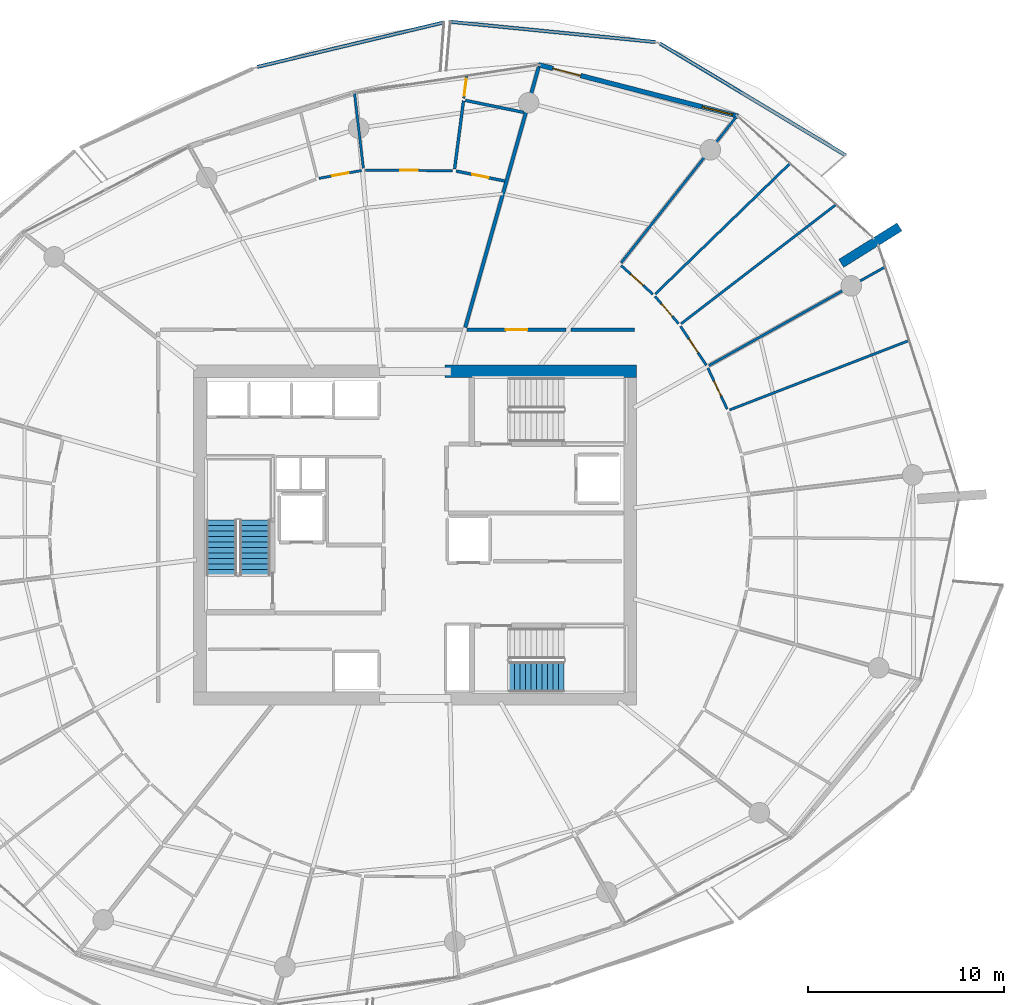
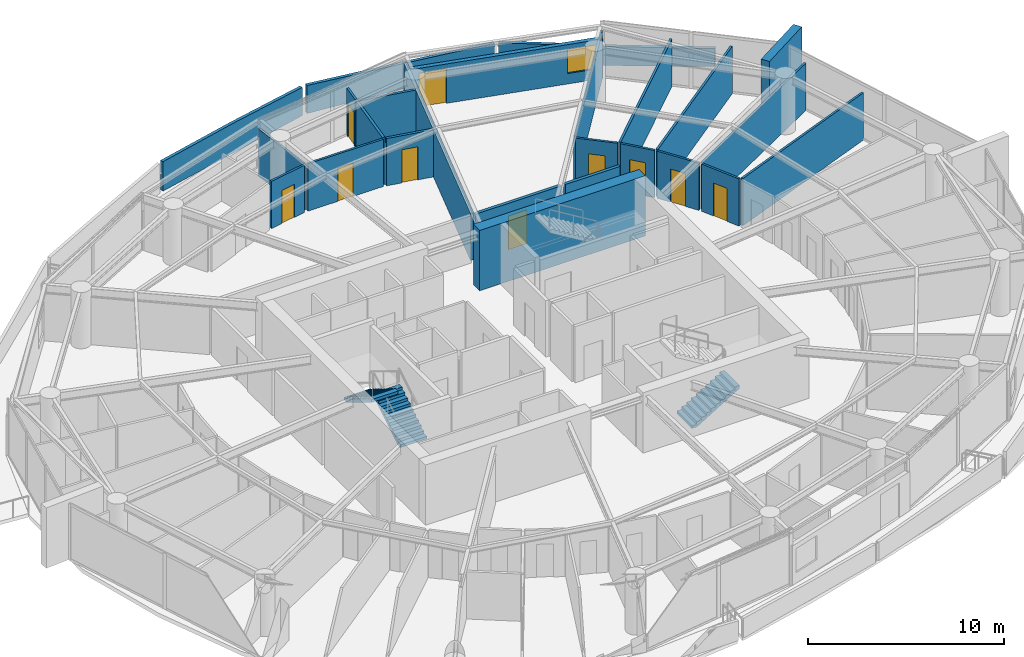
# One storey, part 15 of 21: 25 walls, 10 doors, 3 stair flights, 1 window, 11 openings, 2 elements without a shape of their own.
"""IFC4 building model written with IfcOpenShell, lengths in metres."""

import ifcopenshell
import ifcopenshell.guid

model = None  # the IFC model being written
_history = None  # IfcOwnerHistory: only IFC2X3 demands one
_inside = {}  # id of a spatial element -> (the spatial element, [elements in it])
_under = {}  # id of a project, library or spatial element -> (it, [spatial elements below it])
_declared = {}  # id of a project -> (the project, [libraries it declares])
_typed = {}  # id of a type object -> (the type object, [elements of that type])
_made_of = {}  # id of a material, layer set ... -> (it, [elements and type objects made of it])


def new_model(schema):
    """Start an empty IFC model of exactly this schema.

    Asked for "IFC4X3", IfcOpenShell would pick the latest addendum, in which some entities
    have other attributes; the version numbers below select the first issue.
    IFC2X3 requires an IfcOwnerHistory on every rooted entity: one is made here for all.
    """
    global model, _history
    if schema == "IFC4X3":
        model = ifcopenshell.file(schema_version=(4, 3, 0, 0))
    else:
        model = ifcopenshell.file(schema=schema)
    _inside.clear()
    _under.clear()
    _declared.clear()
    _typed.clear()
    _made_of.clear()
    _history = None
    if model.schema == "IFC2X3":
        org = make("IfcOrganization", Name="unknown")
        user = make(
            "IfcPersonAndOrganization",
            ThePerson=make("IfcPerson", FamilyName="unknown"),
            TheOrganization=org,
        )
        app = make(
            "IfcApplication",
            ApplicationDeveloper=org,
            Version="unknown",
            ApplicationFullName="unknown",
            ApplicationIdentifier="unknown",
        )
        _history = make(
            "IfcOwnerHistory",
            OwningUser=user,
            OwningApplication=app,
            ChangeAction="ADDED",
            CreationDate=0,
        )
    return model


def make(cls, **values):
    """One entity of the class cls with the attributes given. An attribute that is None is left unset."""
    return model.create_entity(
        cls, **{name: value for name, value in values.items() if value is not None}
    )


def rooted(cls, **values):
    """An entity with a GlobalId (a new one), such as an element, a storey or a relation."""
    return make(cls, GlobalId=ifcopenshell.guid.new(), OwnerHistory=_history, **values)


def si_unit(unit_type, name, prefix=None):
    """IfcSIUnit, for example si_unit("LENGTHUNIT", "METRE", prefix="MILLI")."""
    return make("IfcSIUnit", UnitType=unit_type, Prefix=prefix, Name=name)


def assignment(units):
    """IfcUnitAssignment: the units of a project."""
    return None if units is None else make("IfcUnitAssignment", Units=units)


def point(xyz):
    """IfcCartesianPoint."""
    return None if xyz is None else make("IfcCartesianPoint", Coordinates=xyz)


def direction(xyz):
    """IfcDirection."""
    return None if xyz is None else make("IfcDirection", DirectionRatios=xyz)


def frame(location, z_axis=None, x_axis=None):
    """IfcAxis2Placement3D, a coordinate frame: its origin and axes. An axis left out is left unset."""
    return make(
        "IfcAxis2Placement3D",
        Location=point(location),
        Axis=direction(z_axis),
        RefDirection=direction(x_axis),
    )


def frame_2d(location, x_axis=None):
    """IfcAxis2Placement2D, a coordinate frame in the plane: its origin and x axis."""
    return make(
        "IfcAxis2Placement2D", Location=point(location), RefDirection=direction(x_axis)
    )


def origin():
    """The frame at (0, 0, 0) with its axes left unset."""
    return frame((0.0, 0.0, 0.0))


def place(relative_to, where):
    """IfcLocalPlacement: puts the frame where relative to a parent placement (None: the world)."""
    return make(
        "IfcLocalPlacement", PlacementRelTo=relative_to, RelativePlacement=where
    )


def context(
    kind, dimensions, precision=None, world=None, true_north=None, identifier=None
):
    """IfcGeometricRepresentationContext, for example the 3D "Model" context."""
    return make(
        "IfcGeometricRepresentationContext",
        ContextIdentifier=identifier,
        ContextType=kind,
        CoordinateSpaceDimension=dimensions,
        Precision=precision,
        WorldCoordinateSystem=world,
        TrueNorth=true_north,
    )


def subcontext(parent, identifier, kind, view, scale=None):
    """IfcGeometricRepresentationSubContext, for example "Body" below "Model"."""
    return make(
        "IfcGeometricRepresentationSubContext",
        ContextIdentifier=identifier,
        ContextType=kind,
        ParentContext=parent,
        TargetScale=scale,
        TargetView=view,
    )


def project(units=None, contexts=None):
    """IfcProject with its units and contexts."""
    return rooted(
        "IfcProject",
        Name="project",
        RepresentationContexts=contexts,
        UnitsInContext=assignment(units),
    )


def spatial(cls, under=None, at=None, **own):
    """A site, building, storey or space (cls), placed at a placement, below another one or the project."""
    s = rooted(cls, ObjectPlacement=at, **own)
    if under is not None:
        _under.setdefault(under.id(), (under, []))[1].append(s)
    return s


def polyline(points):
    """IfcPolyline through the points."""
    return make("IfcPolyline", Points=[point(p) for p in points])


def profile(cls, at=None, kind="AREA", **sizes):
    """A parametric profile (cls). Its sizes go by their IFC names, for example OverallWidth=200.0."""
    return make(cls, ProfileType=kind, Position=at, **sizes)


def rectangle(**sizes):
    """IfcRectangleProfileDef."""
    return profile("IfcRectangleProfileDef", **sizes)


def outline(outer, holes=None, kind="AREA"):
    """IfcArbitraryClosedProfileDef: a profile drawn as a closed curve; with holes, ...WithVoids."""
    if holes is None:
        return make("IfcArbitraryClosedProfileDef", ProfileType=kind, OuterCurve=outer)
    return make(
        "IfcArbitraryProfileDefWithVoids",
        ProfileType=kind,
        OuterCurve=outer,
        InnerCurves=holes,
    )


def extrude(swept, where, along, depth):
    """IfcExtrudedAreaSolid: the profile swept, set in the frame where, extruded along a direction by depth."""
    return make(
        "IfcExtrudedAreaSolid",
        SweptArea=swept,
        Position=where,
        ExtrudedDirection=direction(along),
        Depth=depth,
    )


def shape(context_of_items, identifier, shape_type, items):
    """IfcShapeRepresentation: the items that make up one representation, for example the "Body"."""
    return make(
        "IfcShapeRepresentation",
        ContextOfItems=context_of_items,
        RepresentationIdentifier=identifier,
        RepresentationType=shape_type,
        Items=items,
    )


def material(Name=None, Category=None):
    """IfcMaterial."""
    return make("IfcMaterial", Name=Name, Category=Category)


def layer(
    of_material, thickness, ventilated=None, Name=None, Category=None, Priority=None
):
    """IfcMaterialLayer: one layer of a wall or slab, of a material (None: an air gap)."""
    return make(
        "IfcMaterialLayer",
        Material=of_material,
        LayerThickness=thickness,
        IsVentilated=ventilated,
        Name=Name,
        Category=Category,
        Priority=Priority,
    )


def layer_set(layers, Name=None):
    """IfcMaterialLayerSet."""
    return make("IfcMaterialLayerSet", MaterialLayers=layers, LayerSetName=Name)


def made_of(thing, what):
    """Note that an element or type object is made of a material, layer set ...; save() writes the relation."""
    if what is not None:
        _made_of.setdefault(what.id(), (what, []))[1].append(thing)
    return thing


def type_object(cls, material=None, **own):
    """A type object (cls), such as IfcWallType, which elements share."""
    return made_of(rooted(cls, **own), material)


def element(
    cls,
    number,
    at=None,
    inside=None,
    cuts=None,
    type_object=None,
    material=None,
    context=None,
    identifier="Body",
    shape_type=None,
    held_by="IfcProductDefinitionShape",
    body=None,
    shapes=None,
    **own,
):
    """One element of the class cls, such as IfcWall. Its Tag is "e" and its number.

    at: its placement. inside: the storey or other place that contains it. cuts: it is an
    opening in that element (IfcRelVoidsElement). A single representation is given by context,
    identifier, shape_type and body (its items); several are given by shapes. held_by: the class
    of the entity that holds the representations. save() writes the other relations.
    """
    e = rooted(cls, Tag="e%d" % number, ObjectPlacement=at, **own)
    if body is not None:
        shapes = [shape(context, identifier, shape_type, body)]
    if shapes is not None:
        e.Representation = make(held_by, Representations=shapes)
    if inside is not None:
        _inside.setdefault(inside.id(), (inside, []))[1].append(e)
    if cuts is not None:
        rooted(
            "IfcRelVoidsElement", RelatingBuildingElement=cuts, RelatedOpeningElement=e
        )
    if type_object is not None:
        _typed.setdefault(type_object.id(), (type_object, []))[1].append(e)
    return made_of(e, material)


def fill(opening, filler):
    """IfcRelFillsElement: the door or window that sits in an opening."""
    return rooted(
        "IfcRelFillsElement",
        RelatingOpeningElement=opening,
        RelatedBuildingElement=filler,
    )


def aggregate(whole, parts):
    """IfcRelAggregates: a whole, such as a stair, and the parts it consists of."""
    return rooted("IfcRelAggregates", RelatingObject=whole, RelatedObjects=parts)


def save(model, path):
    """Write the relations noted so far, then the file.

    IfcRelAggregates (storeys below a building ...), IfcRelContainedInSpatialStructure (elements
    in a storey), IfcRelDefinesByType, IfcRelAssociatesMaterial and IfcRelDeclares: one each for
    every whole, place, type object, material and project.
    """
    for whole, parts in _under.values():
        aggregate(whole, parts)
    for where, things in _inside.values():
        rooted(
            "IfcRelContainedInSpatialStructure",
            RelatedElements=things,
            RelatingStructure=where,
        )
    for kind, things in _typed.values():
        rooted("IfcRelDefinesByType", RelatedObjects=things, RelatingType=kind)
    for what, things in _made_of.values():
        rooted("IfcRelAssociatesMaterial", RelatedObjects=things, RelatingMaterial=what)
    for by, libraries in _declared.values():
        rooted("IfcRelDeclares", RelatingContext=by, RelatedDefinitions=libraries)
    model.write(path)


model = new_model("IFC4")

# Units and contexts
model_context = context("Model", 3, precision=1e-05, world=origin(), true_north=direction((0.0, 1.0)))
body_context = subcontext(model_context, "Body", "Model", "MODEL_VIEW")
ifc_project = project(units=[si_unit("LENGTHUNIT", "METRE"), si_unit("AREAUNIT", "SQUARE_METRE"), si_unit("VOLUMEUNIT", "CUBIC_METRE"), si_unit("PLANEANGLEUNIT", "RADIAN"), si_unit("MASSUNIT", "GRAM", prefix="KILO")], contexts=[model_context])

# Site, building, storey
site_placement = place(None, origin())
site = spatial("IfcSite", under=ifc_project, at=site_placement, CompositionType="ELEMENT")
building_placement = place(site_placement, origin())
building = spatial("IfcBuilding", under=site, at=building_placement, Name="Kazma Halo Residences", CompositionType="ELEMENT")
storey_placement = place(building_placement, frame((0.0, 0.0, 184.050048828125)))
storey = spatial("IfcBuildingStorey", under=building, at=storey_placement, Name="L46", CompositionType="ELEMENT", Elevation=184.050048828125)

# Walls
ifc_material_1 = material(Name="White Concrete C50/60 Balustrade", Category="concrete")
ifc_layer_1 = layer(ifc_material_1, 0.179931640625)
ifc_layer_set_1 = layer_set([ifc_layer_1], Name="White Concrete C50/60 Balustrade")
wall_type_1 = type_object("IfcWallType", Name="WL-BAL-WAVE-180", PredefinedType="PARAPET", material=ifc_layer_set_1)
wall_1_placement = place(storey_placement, frame((70.33984375, 61.317138671875, 0.0), z_axis=(0.0, 0.0, 1.0), x_axis=(-0.856758582714, 0.515717685314, 0.0)))
element("IfcWall", 1, at=wall_1_placement, inside=storey, type_object=wall_type_1, Name="L46 white wave balustrade wall NE.1", PredefinedType="PARAPET", context=body_context, shape_type="SweptSolid", body=[
    extrude(outline(polyline([(0.0, 0.0), (11.04296875, 0.0), (11.042724609375, 1.347900390625), (5.521484375, 1.181884765625), (0.0, 1.119873046875), (0.0, 0.0)])), frame((0.0, 0.08984375, 0.0), z_axis=(0.0, -1.0, 0.0), x_axis=(1.0, 0.0, 0.0)), (0.0, 0.0, 1.0), 0.179931640625),
])
wall_2_placement = place(storey_placement, frame((60.656494140625, 67.085693359375, 0.0), z_axis=(0.0, 0.0, 1.0), x_axis=(-0.995154913377, 0.098319369306, 0.0)))
element("IfcWall", 2, at=wall_2_placement, inside=storey, type_object=wall_type_1, Name="L46 white wave balustrade wall NE.2", PredefinedType="PARAPET", context=body_context, shape_type="SweptSolid", body=[
    extrude(outline(polyline([(0.0, 0.0), (10.4912109375, 0.0), (10.4912109375, 1.7470703125), (5.24560546875, 1.56201171875), (0.0, 1.347900390625), (0.0, 0.0)])), frame((0.0, 0.08984375, 0.0), z_axis=(0.0, -1.0, 0.0), x_axis=(1.0, 0.0, 0.0)), (0.0, 0.0, 1.0), 0.179931640625),
])
wall_3_placement = place(storey_placement, frame((49.892578125, 68.08447265625, 0.0), z_axis=(0.0, 0.0, 1.0), x_axis=(-0.972746941522, -0.231869333374, 0.0)))
element("IfcWall", 3, at=wall_3_placement, inside=storey, type_object=wall_type_1, Name="L46 white wave balustrade wall NNW.1", PredefinedType="PARAPET", context=body_context, shape_type="SweptSolid", body=[
    extrude(outline(polyline([(0.0, 0.0), (9.772216796875, 0.0), (9.772216796875, 1.83203125), (4.885986328125, 1.85302734375), (0.0, 1.755859375), (0.0, 0.0)])), frame((0.0, 0.08984375, 0.0), z_axis=(0.0, -1.0, 0.0), x_axis=(1.0, 0.0, 0.0)), (0.0, 0.0, 1.0), 0.179931640625),
])
ifc_material_2 = material(Name="Pale Concrete C60/75", Category="concrete")
ifc_layer_2 = layer(ifc_material_2, 0.47998046875)
ifc_layer_set_2 = layer_set([ifc_layer_2], Name="Pale Concrete C60/75")
wall_type_2 = type_object("IfcWallType", Name="WL-BLADE-480", PredefinedType="SOLIDWALL", material=ifc_layer_set_2)
wall_4_placement = place(storey_placement, frame((70.11376953125, 55.818115234375, 0.0), z_axis=(0.0, 0.0, 1.0), x_axis=(0.848033572426, 0.529942506352, 0.0)))
element("IfcWall", 4, at=wall_4_placement, inside=storey, type_object=wall_type_2, Name="L46 pale concrete structural blade fin wall BW-01", PredefinedType="SOLIDWALL", context=body_context, shape_type="SweptSolid", body=[
    extrude(rectangle(XDim=3.5, YDim=0.47998046875, at=frame_2d((1.75, 0.0))), origin(), (0.0, 0.0, 1.0), 3.75),
])
ifc_material_3 = material(Name="Concrete C60/75", Category="concrete")
ifc_layer_3 = layer(ifc_material_3, 0.64990234375)
ifc_layer_set_3 = layer_set([ifc_layer_3], Name="Concrete C60/75")
wall_type_3 = type_object("IfcWallType", Name="WL-CORE-650", PredefinedType="SHEAR", material=ifc_layer_set_3)
wall_5_placement = place(storey_placement, frame((49.949951171875, 50.324951171875, 0.0), z_axis=(0.0, 0.0, 1.0), x_axis=(1.0, 0.0, 0.0)))
element("IfcWall", 5, at=wall_5_placement, inside=storey, type_object=wall_type_3, Name="L46 central core shear wall NE", PredefinedType="SHEAR", context=body_context, shape_type="SweptSolid", body=[
    extrude(rectangle(XDim=9.75, YDim=0.64990234375, at=frame_2d((4.875, 0.0))), origin(), (0.0, 0.0, 1.0), 3.75),
])
ifc_material_4 = material(Name="Acoustic Twin-Stud Gypsum")
ifc_layer_4 = layer(ifc_material_4, 0.179931640625)
ifc_layer_set_4 = layer_set([ifc_layer_4], Name="Acoustic Twin-Stud Gypsum")
wall_type_4 = type_object("IfcWallType", Name="WL-DEM-180", PredefinedType="PARTITIONING", material=ifc_layer_set_4)
wall_6_placement = place(storey_placement, frame((50.97705078125, 52.555908203125, 0.0), z_axis=(0.0, 0.0, 1.0), x_axis=(0.271443307373, 0.962454430548, 0.0)))
element("IfcWall", 6, at=wall_6_placement, inside=storey, type_object=wall_type_4, Name="L46 apartment demising radial wall 02", PredefinedType="PARTITIONING", context=body_context, shape_type="SweptSolid", body=[
    extrude(rectangle(XDim=13.75927734375, YDim=0.179931640625, at=frame_2d((6.879638671875, 0.0))), origin(), (0.0, 0.0, 1.0), 2.93994140625),
])

# Wall, opening, door
wall_7_placement = place(storey_placement, frame((56.1181640625, 52.449951171875, 0.0), z_axis=(0.0, 0.0, 1.0), x_axis=(-1.0, 0.0, 0.0)))
wall_7 = element("IfcWall", 7, at=wall_7_placement, inside=storey, type_object=wall_type_4, Name="L46 Apartment 3 entrance corridor wall", PredefinedType="PARTITIONING", context=body_context, shape_type="SweptSolid", body=[
    extrude(rectangle(XDim=5.051025390625, YDim=0.179931640625, at=frame_2d((2.525390625, 0.0))), origin(), (0.0, 0.0, 1.0), 2.93994140625),
])
opening_1_placement = place(wall_7_placement, frame((1.975341796875, 0.0, 0.0)))
opening_1 = element("IfcOpeningElement", 8, at=opening_1_placement, cuts=wall_7, Name="Opening DA-1100", PredefinedType="OPENING", context=body_context, shape_type="SweptSolid", body=[
    extrude(rectangle(XDim=1.10009765625, YDim=2.10009765625, at=frame_2d((0.550048828125, 1.050048828125))), frame((0.0, 0.099853515625, 0.0), z_axis=(0.0, -1.0, 0.0), x_axis=(1.0, 0.0, 0.0)), (0.0, 0.0, 1.0), 0.199951171875),
])
ifc_material_5 = material(Name="Acoustic Walnut Fire Leaf")
door_type_1 = type_object("IfcDoorType", Name="DR-FD60-1100", OperationType="NOTDEFINED", PredefinedType="DOOR", material=ifc_material_5)
door_1_placement = place(opening_1_placement, origin())
door_1 = element("IfcDoor", 9, at=door_1_placement, inside=storey, type_object=door_type_1, Name="L46 Apartment 3 entrance fire door", OperationType="SINGLE_SWING_RIGHT", OverallHeight=2.10009765625, OverallWidth=1.10009765625, PredefinedType="DOOR", context=body_context, shape_type="SweptSolid", body=[
    extrude(rectangle(XDim=1.10009765625, YDim=2.10009765625, at=frame_2d((0.550048828125, 1.050048828125))), frame((0.0, 0.02490234375, 0.0), z_axis=(0.0, -1.0, 0.0), x_axis=(1.0, 0.0, 0.0)), (0.0, 0.0, 1.0), 0.050048828125),
])
fill(opening_1, door_1)

# Wall
wall_8_placement = place(storey_placement, frame((59.580078125, 52.449951171875, 0.0), z_axis=(0.0, 0.0, 1.0), x_axis=(-1.0, 0.0, 0.0)))
element("IfcWall", 10, at=wall_8_placement, inside=storey, type_object=wall_type_4, Name="L46 Apartment 3 inner wall 0", PredefinedType="PARTITIONING", context=body_context, shape_type="SweptSolid", body=[
    extrude(rectangle(XDim=3.221923828125, YDim=0.179931640625, at=frame_2d((1.61083984375, 0.0))), origin(), (0.0, 0.0, 1.0), 2.93994140625),
])

# Wall, openings, door, window
ifc_material_6 = material(Name="Insulated Pale-Metal Composite Wall")
ifc_layer_5 = layer(ifc_material_6, 0.239990234375)
ifc_layer_set_5 = layer_set([ifc_layer_5], Name="Insulated Pale-Metal Composite Wall")
wall_type_5 = type_object("IfcWallType", Name="WL-EXT-HOST-240", PredefinedType="SOLIDWALL", material=ifc_layer_set_5)
wall_9_placement = place(storey_placement, frame((64.860107421875, 63.31298828125, 0.0), z_axis=(0.0, 0.0, 1.0), x_axis=(-0.968374028006, 0.249502989727, 0.0)))
wall_9 = element("IfcWall", 11, at=wall_9_placement, inside=storey, type_object=wall_type_5, Name="L46 exterior terrace-access wall B02", PredefinedType="SOLIDWALL", context=body_context, shape_type="SweptSolid", body=[
    extrude(rectangle(XDim=10.494384765625, YDim=0.239990234375, at=frame_2d((5.2470703125, 0.0))), origin(), (0.0, 0.0, 1.0), 2.449951171875),
])
opening_2_placement = place(wall_9_placement, frame((8.2744140625, 0.0, 0.0)))
opening_2 = element("IfcOpeningElement", 12, at=opening_2_placement, cuts=wall_9, Name="Opening DTR-1600", PredefinedType="OPENING", context=body_context, shape_type="SweptSolid", body=[
    extrude(rectangle(XDim=1.449951171875, YDim=2.14990234375, at=frame_2d((0.72509765625, 1.074951171875))), frame((0.0, 0.1298828125, 0.0), z_axis=(0.0, -1.0, 0.0), x_axis=(1.0, 0.0, 0.0)), (0.0, 0.0, 1.0), 0.260009765625),
])
opening_3_placement = place(wall_9_placement, frame((0.280029296875, 0.0, 0.64990234375)))
opening_3 = element("IfcOpeningElement", 13, at=opening_3_placement, cuts=wall_9, Name="Opening W-1800", PredefinedType="OPENING", context=body_context, shape_type="SweptSolid", body=[
    extrude(rectangle(XDim=1.60009765625, YDim=1.5, at=frame_2d((0.800048828125, 0.75))), frame((0.0, 0.1298828125, 0.0), z_axis=(0.0, -1.0, 0.0), x_axis=(1.0, 0.0, 0.0)), (0.0, 0.0, 1.0), 0.260009765625),
])
ifc_material_7 = material(Name="Aluminium AW-6063 T6 Double-Glazed Terrace Door", Category="aluminium")
door_type_2 = type_object("IfcDoorType", Name="DR-EXT-TERR-1600", OperationType="NOTDEFINED", PredefinedType="DOOR", material=ifc_material_7)
door_2_placement = place(opening_2_placement, origin())
door_2 = element("IfcDoor", 14, at=door_2_placement, inside=storey, type_object=door_type_2, Name="L46 B02 balcony terrace door", OperationType="DOUBLE_DOOR_SLIDING", OverallHeight=2.14990234375, OverallWidth=1.449951171875, PredefinedType="DOOR", context=body_context, shape_type="SweptSolid", body=[
    extrude(rectangle(XDim=1.449951171875, YDim=2.14990234375, at=frame_2d((0.72509765625, 1.074951171875))), frame((0.0, 0.02490234375, 0.0), z_axis=(0.0, -1.0, 0.0), x_axis=(1.0, 0.0, 0.0)), (0.0, 0.0, 1.0), 0.050048828125),
])
fill(opening_2, door_2)
ifc_material_8 = material(Name="Clear Triple-Silver Low-E Glass in Aluminium AW-6063 T6 Frame", Category="aluminium")
window_type = type_object("IfcWindowType", Name="WIN-RES-1800", PartitioningType="DOUBLE_PANEL_VERTICAL", PredefinedType="WINDOW", material=ifc_material_8)
window_placement = place(opening_3_placement, origin())
window = element("IfcWindow", 15, at=window_placement, inside=storey, type_object=window_type, Name="L46 B02 apartment window", OverallHeight=1.5, OverallWidth=1.60009765625, PartitioningType="SINGLE_PANEL", PredefinedType="WINDOW", context=body_context, shape_type="SweptSolid", body=[
    extrude(rectangle(XDim=1.60009765625, YDim=1.5, at=frame_2d((0.800048828125, 0.75))), frame((0.0, 0.030029296875, 0.0), z_axis=(0.0, -1.0, 0.0), x_axis=(1.0, 0.0, 0.0)), (0.0, 0.0, 1.0), 0.06005859375),
])
fill(opening_3, window)

# Wall, opening, door
ifc_material_9 = material(Name="Gypsum Plasterboard Partition")
ifc_layer_6 = layer(ifc_material_9, 0.125)
ifc_layer_set_6 = layer_set([ifc_layer_6], Name="Gypsum Plasterboard Partition")
wall_type_6 = type_object("IfcWallType", Name="WL-PART-125", PredefinedType="PARTITIONING", material=ifc_layer_set_6)
wall_10_placement = place(storey_placement, frame((50.90478515625, 64.221923828125, 0.0), z_axis=(0.0, 0.0, 1.0), x_axis=(0.129607883109, 0.991565326459, 0.0)))
wall_10 = element("IfcWall", 16, at=wall_10_placement, inside=storey, type_object=wall_type_6, Name="L46 Apartment 1 Household Store Room partition wall", PredefinedType="PARTITIONING", context=body_context, shape_type="SweptSolid", body=[
    extrude(rectangle(XDim=1.12646484375, YDim=0.125, at=frame_2d((0.563232421875, 0.0))), origin(), (0.0, 0.0, 1.0), 2.93994140625),
])
opening_4_placement = place(wall_10_placement, frame((0.13818359375, 0.0, 0.0)))
opening_4 = element("IfcOpeningElement", 17, at=opening_4_placement, cuts=wall_10, Name="Opening DB-900", PredefinedType="OPENING", context=body_context, shape_type="SweptSolid", body=[
    extrude(rectangle(XDim=0.85009765625, YDim=2.06005859375, at=frame_2d((0.425048828125, 1.030029296875))), frame((0.0, 0.072509765625, 0.0), z_axis=(0.0, -1.0, 0.0), x_axis=(1.0, 0.0, 0.0)), (0.0, 0.0, 1.0), 0.14501953125),
])
ifc_material_10 = material(Name="Moisture-Sealed Timber Leaf", Category="wood")
door_type_3 = type_object("IfcDoorType", Name="DR-BTH-900", OperationType="NOTDEFINED", PredefinedType="DOOR", material=ifc_material_10)
door_3_placement = place(opening_4_placement, origin())
door_3 = element("IfcDoor", 18, at=door_3_placement, inside=storey, type_object=door_type_3, Name="L46 Apartment 1 Household Store Room door", OperationType="SINGLE_SWING_RIGHT", OverallHeight=2.06005859375, OverallWidth=0.85009765625, PredefinedType="DOOR", context=body_context, shape_type="SweptSolid", body=[
    extrude(rectangle(XDim=0.85009765625, YDim=2.06005859375, at=frame_2d((0.425048828125, 1.030029296875))), frame((0.0, 0.02490234375, 0.0), z_axis=(0.0, -1.0, 0.0), x_axis=(1.0, 0.0, 0.0)), (0.0, 0.0, 1.0), 0.050048828125),
])
fill(opening_4, door_3)

wall_11_placement = place(storey_placement, frame((50.3330078125, 60.536865234375, 0.0), z_axis=(0.0, 0.0, 1.0), x_axis=(-0.999981626936, 0.006061830649, 0.0)))
wall_11 = element("IfcWall", 19, at=wall_11_placement, inside=storey, type_object=wall_type_6, Name="L46 Apartment 1 Gourmet Kitchen hall wall", PredefinedType="PARTITIONING", context=body_context, shape_type="SweptSolid", body=[
    extrude(rectangle(XDim=4.43017578125, YDim=0.125, at=frame_2d((2.215087890625, 0.0))), origin(), (0.0, 0.0, 1.0), 2.93994140625),
])
opening_5_placement = place(wall_11_placement, frame((1.76513671875, 0.0, 0.0)))
opening_5 = element("IfcOpeningElement", 20, at=opening_5_placement, cuts=wall_11, Name="Opening DI-950", PredefinedType="OPENING", context=body_context, shape_type="SweptSolid", body=[
    extrude(rectangle(XDim=0.89990234375, YDim=2.080078125, at=frame_2d((0.449951171875, 1.0400390625))), frame((0.0, 0.072509765625, 0.0), z_axis=(0.0, -1.0, 0.0), x_axis=(1.0, 0.0, 0.0)), (0.0, 0.0, 1.0), 0.14501953125),
])
ifc_material_11 = material(Name="Timber Veneer Flush Leaf", Category="wood")
door_type_4 = type_object("IfcDoorType", Name="DR-INT-950", OperationType="NOTDEFINED", PredefinedType="DOOR", material=ifc_material_11)
door_4_placement = place(opening_5_placement, origin())
door_4 = element("IfcDoor", 21, at=door_4_placement, inside=storey, type_object=door_type_4, Name="L46 Apartment 1 Gourmet Kitchen door", OperationType="SINGLE_SWING_LEFT", OverallHeight=2.080078125, OverallWidth=0.89990234375, PredefinedType="DOOR", context=body_context, shape_type="SweptSolid", body=[
    extrude(rectangle(XDim=0.89990234375, YDim=2.080078125, at=frame_2d((0.449951171875, 1.0400390625))), frame((0.0, 0.02490234375, 0.0), z_axis=(0.0, -1.0, 0.0), x_axis=(1.0, 0.0, 0.0)), (0.0, 0.0, 1.0), 0.050048828125),
])
fill(opening_5, door_4)

# Wall
wall_12_placement = place(storey_placement, frame((45.791015625, 60.663818359375, 0.0), z_axis=(0.0, 0.0, 1.0), x_axis=(-0.117516047916, 0.993070983607, 0.0)))
element("IfcWall", 22, at=wall_12_placement, inside=storey, type_object=wall_type_6, Name="L46 Apartment 1 radial partition 3", PredefinedType="PARTITIONING", context=body_context, shape_type="SweptSolid", body=[
    extrude(rectangle(XDim=3.84130859375, YDim=0.125, at=frame_2d((1.920654296875, 0.0))), origin(), (0.0, 0.0, 1.0), 2.93994140625),
])

# Wall, opening, door
wall_13_placement = place(storey_placement, frame((45.704345703125, 60.54638671875, 0.0), z_axis=(0.0, 0.0, 1.0), x_axis=(-0.983514725563, -0.180828052584, 0.0)))
wall_13 = element("IfcWall", 23, at=wall_13_placement, inside=storey, type_object=wall_type_6, Name="L46 Apartment 1 Primary Bedroom hall wall", PredefinedType="PARTITIONING", context=body_context, shape_type="SweptSolid", body=[
    extrude(rectangle(XDim=2.21142578125, YDim=0.125, at=frame_2d((1.105712890625, 0.0))), origin(), (0.0, 0.0, 1.0), 2.93994140625),
])
opening_6_placement = place(wall_13_placement, frame((0.680908203125, 0.0, 0.0)))
opening_6 = element("IfcOpeningElement", 24, at=opening_6_placement, cuts=wall_13, Name="Opening DB-900", PredefinedType="OPENING", context=body_context, shape_type="SweptSolid", body=[
    extrude(rectangle(XDim=0.85009765625, YDim=2.06005859375, at=frame_2d((0.425048828125, 1.030029296875))), frame((0.0, 0.072509765625, 0.0), z_axis=(0.0, -1.0, 0.0), x_axis=(1.0, 0.0, 0.0)), (0.0, 0.0, 1.0), 0.14501953125),
])
door_5_placement = place(opening_6_placement, origin())
door_5 = element("IfcDoor", 25, at=door_5_placement, inside=storey, type_object=door_type_3, Name="L46 Apartment 1 Primary Bedroom door", OperationType="SINGLE_SWING_RIGHT", OverallHeight=2.06005859375, OverallWidth=0.85009765625, PredefinedType="DOOR", context=body_context, shape_type="SweptSolid", body=[
    extrude(rectangle(XDim=0.85009765625, YDim=2.06005859375, at=frame_2d((0.425048828125, 1.030029296875))), frame((0.0, 0.02490234375, 0.0), z_axis=(0.0, -1.0, 0.0), x_axis=(1.0, 0.0, 0.0)), (0.0, 0.0, 1.0), 0.050048828125),
])
fill(opening_6, door_5)

# Wall
wall_14_placement = place(storey_placement, frame((64.430419921875, 48.3564453125, 0.0), z_axis=(0.0, 0.0, 1.0), x_axis=(0.932640168577, 0.360807865709, 0.0)))
element("IfcWall", 26, at=wall_14_placement, inside=storey, type_object=wall_type_6, Name="L46 Apartment 3 bay wall 2 15", PredefinedType="PARTITIONING", context=body_context, shape_type="SweptSolid", body=[
    extrude(rectangle(XDim=9.782958984375, YDim=0.125, at=frame_2d((4.8916015625, 0.0))), origin(), (0.0, 0.0, 1.0), 2.93994140625),
])

# Wall, opening, door
wall_15_placement = place(storey_placement, frame((64.312255859375, 48.396240234375, 0.0), z_axis=(0.0, 0.0, 1.0), x_axis=(-0.425705646023, 0.904861703767, 0.0)))
wall_15 = element("IfcWall", 27, at=wall_15_placement, inside=storey, type_object=wall_type_6, Name="L46 Apartment 3 Secondary Bedroom hall wall", PredefinedType="PARTITIONING", context=body_context, shape_type="SweptSolid", body=[
    extrude(rectangle(XDim=2.315673828125, YDim=0.125, at=frame_2d((1.15771484375, 0.0))), origin(), (0.0, 0.0, 1.0), 2.93994140625),
])
opening_7_placement = place(wall_15_placement, frame((0.73291015625, 0.0, 0.0)))
opening_7 = element("IfcOpeningElement", 28, at=opening_7_placement, cuts=wall_15, Name="Opening DB-900", PredefinedType="OPENING", context=body_context, shape_type="SweptSolid", body=[
    extrude(rectangle(XDim=0.85009765625, YDim=2.06005859375, at=frame_2d((0.425048828125, 1.030029296875))), frame((0.0, 0.072509765625, 0.0), z_axis=(0.0, -1.0, 0.0), x_axis=(1.0, 0.0, 0.0)), (0.0, 0.0, 1.0), 0.14501953125),
])
door_6_placement = place(opening_7_placement, origin())
door_6 = element("IfcDoor", 29, at=door_6_placement, inside=storey, type_object=door_type_3, Name="L46 Apartment 3 Secondary Bedroom door", OperationType="SINGLE_SWING_LEFT", OverallHeight=2.06005859375, OverallWidth=0.85009765625, PredefinedType="DOOR", context=body_context, shape_type="SweptSolid", body=[
    extrude(rectangle(XDim=0.85009765625, YDim=2.06005859375, at=frame_2d((0.425048828125, 1.030029296875))), frame((0.0, 0.02490234375, 0.0), z_axis=(0.0, -1.0, 0.0), x_axis=(1.0, 0.0, 0.0)), (0.0, 0.0, 1.0), 0.050048828125),
])
fill(opening_7, door_6)

# Walls
wall_16_placement = place(storey_placement, frame((63.37939453125, 50.613037109375, 0.0), z_axis=(0.0, 0.0, 1.0), x_axis=(0.872503583261, 0.488607712994, 0.0)))
element("IfcWall", 30, at=wall_16_placement, inside=storey, type_object=wall_type_6, Name="L46 Apartment 3 radial partition 0", PredefinedType="PARTITIONING", context=body_context, shape_type="SweptSolid", body=[
    extrude(rectangle(XDim=10.26806640625, YDim=0.125, at=frame_2d((5.134033203125, 0.0))), origin(), (0.0, 0.0, 1.0), 2.93994140625),
])
wall_17_placement = place(storey_placement, frame((58.912841796875, 55.8427734375, 0.0), z_axis=(0.0, 0.0, 1.0), x_axis=(0.619083548323, 0.785325130246, 0.0)))
element("IfcWall", 31, at=wall_17_placement, inside=storey, type_object=wall_type_6, Name="L46 Apartment 3 living radial partition 0", PredefinedType="PARTITIONING", context=body_context, shape_type="SweptSolid", body=[
    extrude(rectangle(XDim=9.503173828125, YDim=0.125, at=frame_2d((4.75146484375, 0.0))), origin(), (0.0, 0.0, 1.0), 2.93994140625),
])
wall_18_placement = place(storey_placement, frame((61.96240234375, 52.742919921875, 0.0), z_axis=(0.0, 0.0, 1.0), x_axis=(0.792560870927, 0.609792805693, 0.0)))
element("IfcWall", 32, at=wall_18_placement, inside=storey, type_object=wall_type_6, Name="L46 Apartment 3 bay wall 1 0", PredefinedType="PARTITIONING", context=body_context, shape_type="SweptSolid", body=[
    extrude(rectangle(XDim=9.92236328125, YDim=0.125, at=frame_2d((4.961181640625, 0.0))), origin(), (0.0, 0.0, 1.0), 2.93994140625),
])
wall_19_placement = place(storey_placement, frame((60.651123046875, 54.260009765625, 0.0), z_axis=(0.0, 0.0, 1.0), x_axis=(0.718131329051, 0.695907604669, 0.0)))
element("IfcWall", 33, at=wall_19_placement, inside=storey, type_object=wall_type_6, Name="L46 Apartment 3 bay wall 2 0", PredefinedType="PARTITIONING", context=body_context, shape_type="SweptSolid", body=[
    extrude(rectangle(XDim=9.5244140625, YDim=0.125, at=frame_2d((4.76220703125, 0.0))), origin(), (0.0, 0.0, 1.0), 2.93994140625),
])

# Wall, opening, door
wall_20_placement = place(storey_placement, frame((63.248046875, 50.630859375, 0.0), z_axis=(0.0, 0.0, 1.0), x_axis=(-0.550605373428, 0.834765669366, 0.0)))
wall_20 = element("IfcWall", 34, at=wall_20_placement, inside=storey, type_object=wall_type_6, Name="L46 Apartment 3 East Bedroom hall wall", PredefinedType="PARTITIONING", context=body_context, shape_type="SweptSolid", body=[
    extrude(rectangle(XDim=2.38427734375, YDim=0.125, at=frame_2d((1.192138671875, 0.0))), origin(), (0.0, 0.0, 1.0), 2.93994140625),
])
opening_8_placement = place(wall_20_placement, frame((0.76708984375, 0.0, 0.0)))
opening_8 = element("IfcOpeningElement", 35, at=opening_8_placement, cuts=wall_20, Name="Opening DB-900", PredefinedType="OPENING", context=body_context, shape_type="SweptSolid", body=[
    extrude(rectangle(XDim=0.85009765625, YDim=2.06005859375, at=frame_2d((0.425048828125, 1.030029296875))), frame((0.0, 0.072509765625, 0.0), z_axis=(0.0, -1.0, 0.0), x_axis=(1.0, 0.0, 0.0)), (0.0, 0.0, 1.0), 0.14501953125),
])
door_7_placement = place(opening_8_placement, origin())
door_7 = element("IfcDoor", 36, at=door_7_placement, inside=storey, type_object=door_type_3, Name="L46 Apartment 3 East Bedroom door", OperationType="SINGLE_SWING_RIGHT", OverallHeight=2.06005859375, OverallWidth=0.85009765625, PredefinedType="DOOR", context=body_context, shape_type="SweptSolid", body=[
    extrude(rectangle(XDim=0.85009765625, YDim=2.06005859375, at=frame_2d((0.425048828125, 1.030029296875))), frame((0.0, 0.02490234375, 0.0), z_axis=(0.0, -1.0, 0.0), x_axis=(1.0, 0.0, 0.0)), (0.0, 0.0, 1.0), 0.050048828125),
])
fill(opening_8, door_7)

wall_21_placement = place(storey_placement, frame((61.8388671875, 52.74853515625, 0.0), z_axis=(0.0, 0.0, 1.0), x_axis=(-0.653952359422, 0.756535730555, 0.0)))
wall_21 = element("IfcWall", 37, at=wall_21_placement, inside=storey, type_object=wall_type_6, Name="L46 Apartment 3 West Study hall wall", PredefinedType="PARTITIONING", context=body_context, shape_type="SweptSolid", body=[
    extrude(rectangle(XDim=1.8349609375, YDim=0.125, at=frame_2d((0.91748046875, 0.0))), origin(), (0.0, 0.0, 1.0), 2.93994140625),
])
opening_9_placement = place(wall_21_placement, frame((0.492431640625, 0.0, 0.0)))
opening_9 = element("IfcOpeningElement", 38, at=opening_9_placement, cuts=wall_21, Name="Opening DB-900", PredefinedType="OPENING", context=body_context, shape_type="SweptSolid", body=[
    extrude(rectangle(XDim=0.85009765625, YDim=2.06005859375, at=frame_2d((0.425048828125, 1.030029296875))), frame((0.0, 0.072509765625, 0.0), z_axis=(0.0, -1.0, 0.0), x_axis=(1.0, 0.0, 0.0)), (0.0, 0.0, 1.0), 0.14501953125),
])
door_8_placement = place(opening_9_placement, origin())
door_8 = element("IfcDoor", 39, at=door_8_placement, inside=storey, type_object=door_type_3, Name="L46 Apartment 3 West Study door", OperationType="SINGLE_SWING_LEFT", OverallHeight=2.06005859375, OverallWidth=0.85009765625, PredefinedType="DOOR", context=body_context, shape_type="SweptSolid", body=[
    extrude(rectangle(XDim=0.85009765625, YDim=2.06005859375, at=frame_2d((0.425048828125, 1.030029296875))), frame((0.0, 0.02490234375, 0.0), z_axis=(0.0, -1.0, 0.0), x_axis=(1.0, 0.0, 0.0)), (0.0, 0.0, 1.0), 0.050048828125),
])
fill(opening_9, door_8)

wall_22_placement = place(storey_placement, frame((60.527099609375, 54.2509765625, 0.0), z_axis=(0.0, 0.0, 1.0), x_axis=(-0.742223129556, 0.670152837755, 0.0)))
wall_22 = element("IfcWall", 40, at=wall_22_placement, inside=storey, type_object=wall_type_6, Name="L46 Apartment 3 North Bedroom hall wall", PredefinedType="PARTITIONING", context=body_context, shape_type="SweptSolid", body=[
    extrude(rectangle(XDim=2.17822265625, YDim=0.125, at=frame_2d((1.089111328125, 0.0))), origin(), (0.0, 0.0, 1.0), 2.93994140625),
])
opening_10_placement = place(wall_22_placement, frame((0.664306640625, 0.0, 0.0)))
opening_10 = element("IfcOpeningElement", 41, at=opening_10_placement, cuts=wall_22, Name="Opening DB-900", PredefinedType="OPENING", context=body_context, shape_type="SweptSolid", body=[
    extrude(rectangle(XDim=0.85009765625, YDim=2.06005859375, at=frame_2d((0.425048828125, 1.030029296875))), frame((0.0, 0.072509765625, 0.0), z_axis=(0.0, -1.0, 0.0), x_axis=(1.0, 0.0, 0.0)), (0.0, 0.0, 1.0), 0.14501953125),
])
door_9_placement = place(opening_10_placement, origin())
door_9 = element("IfcDoor", 42, at=door_9_placement, inside=storey, type_object=door_type_3, Name="L46 Apartment 3 North Bedroom door", OperationType="SINGLE_SWING_RIGHT", OverallHeight=2.06005859375, OverallWidth=0.85009765625, PredefinedType="DOOR", context=body_context, shape_type="SweptSolid", body=[
    extrude(rectangle(XDim=0.85009765625, YDim=2.06005859375, at=frame_2d((0.425048828125, 1.030029296875))), frame((0.0, 0.02490234375, 0.0), z_axis=(0.0, -1.0, 0.0), x_axis=(1.0, 0.0, 0.0)), (0.0, 0.0, 1.0), 0.050048828125),
])
fill(opening_10, door_9)

ifc_material_12 = material(Name="Moisture-Resistant Gypsum")
ifc_layer_7 = layer(ifc_material_12, 0.14990234375)
ifc_layer_set_7 = layer_set([ifc_layer_7], Name="Moisture-Resistant Gypsum")
wall_type_7 = type_object("IfcWallType", Name="WL-WET-150", PredefinedType="PARTITIONING", material=ifc_layer_set_7)
wall_23_placement = place(storey_placement, frame((52.976318359375, 60.01220703125, 0.0), z_axis=(0.0, 0.0, 1.0), x_axis=(-0.979567919456, 0.201113627516, 0.0)))
wall_23 = element("IfcWall", 43, at=wall_23_placement, inside=storey, type_object=wall_type_7, Name="L46 Apartment 1 Guest Bathroom hall wall", PredefinedType="PARTITIONING", context=body_context, shape_type="SweptSolid", body=[
    extrude(rectangle(XDim=2.5166015625, YDim=0.14990234375, at=frame_2d((1.25830078125, 0.0))), origin(), (0.0, 0.0, 1.0), 2.93994140625),
])
opening_11_placement = place(wall_23_placement, frame((0.833251953125, 0.0, 0.0)))
opening_11 = element("IfcOpeningElement", 44, at=opening_11_placement, cuts=wall_23, Name="Opening DB-900", PredefinedType="OPENING", context=body_context, shape_type="SweptSolid", body=[
    extrude(rectangle(XDim=0.85009765625, YDim=2.06005859375, at=frame_2d((0.425048828125, 1.030029296875))), frame((0.0, 0.0849609375, 0.0), z_axis=(0.0, -1.0, 0.0), x_axis=(1.0, 0.0, 0.0)), (0.0, 0.0, 1.0), 0.169921875),
])
door_10_placement = place(opening_11_placement, origin())
door_10 = element("IfcDoor", 45, at=door_10_placement, inside=storey, type_object=door_type_3, Name="L46 Apartment 1 Guest Bathroom door", OperationType="SINGLE_SWING_LEFT", OverallHeight=2.06005859375, OverallWidth=0.85009765625, PredefinedType="DOOR", context=body_context, shape_type="SweptSolid", body=[
    extrude(rectangle(XDim=0.85009765625, YDim=2.06005859375, at=frame_2d((0.425048828125, 1.030029296875))), frame((0.0, 0.02490234375, 0.0), z_axis=(0.0, -1.0, 0.0), x_axis=(1.0, 0.0, 0.0)), (0.0, 0.0, 1.0), 0.050048828125),
])
fill(opening_11, door_10)

# Walls
wall_24_placement = place(storey_placement, frame((53.960693359375, 63.503173828125, 0.0), z_axis=(0.0, 0.0, 1.0), x_axis=(-0.979589733131, 0.201007349976, 0.0)))
element("IfcWall", 46, at=wall_24_placement, inside=storey, type_object=wall_type_7, Name="L46 Apartment 1 Guest Bathroom back wall", PredefinedType="PARTITIONING", context=body_context, shape_type="SweptSolid", body=[
    extrude(rectangle(XDim=3.041259765625, YDim=0.14990234375, at=frame_2d((1.5205078125, 0.0))), origin(), (0.0, 0.0, 1.0), 2.93994140625),
])
wall_25_placement = place(storey_placement, frame((50.434814453125, 60.62548828125, 0.0), z_axis=(0.0, 0.0, 1.0), x_axis=(0.129574965198, 0.991569628616, 0.0)))
element("IfcWall", 47, at=wall_25_placement, inside=storey, type_object=wall_type_7, Name="L46 Apartment 1 Guest Bathroom side wall", PredefinedType="PARTITIONING", context=body_context, shape_type="SweptSolid", body=[
    extrude(rectangle(XDim=3.4970703125, YDim=0.14990234375, at=frame_2d((1.74853515625, 0.0))), origin(), (0.0, 0.0, 1.0), 2.93994140625),
])

# Stair, stair flights
ifc_material_13 = material(Name="Concrete C50/60", Category="concrete")
stair_type = type_object("IfcStairType", Name="STR-RES1", PredefinedType="HALF_TURN_STAIR", material=ifc_material_13)
stair_1_placement = place(storey_placement, origin())
stair_1 = element("IfcStair", 48, at=stair_1_placement, inside=storey, type_object=stair_type, Name="L46 Core exit stair ST-01", PredefinedType="HALF_TURN_STAIR")
stair_flight_type = type_object("IfcStairFlightType", Name="STR-RES1-FLT", PredefinedType="STRAIGHT", material=ifc_material_13)
stair_flight_1_placement = place(storey_placement, frame((40.27490234375, 39.949951171875, 0.0), z_axis=(0.0, 0.0, 1.0), x_axis=(0.0, 1.0, 0.0)))
stair_flight_1 = element("IfcStairFlight", 49, at=stair_flight_1_placement, type_object=stair_flight_type, Name="ST-01 flight 1", NumberOfRisers=11, NumberOfTreads=10, PredefinedType="STRAIGHT", RiserHeight=0.170454545, TreadLength=0.28, context=body_context, shape_type="SweptSolid", body=[
    extrude(outline(polyline([(0.0, 0.0), (0.0, 0.17041015625), (0.280029296875, 0.17041015625), (0.280029296875, 0.3408203125), (0.56005859375, 0.3408203125), (0.56005859375, 0.511474609375), (0.840087890625, 0.511474609375), (0.840087890625, 0.681884765625), (1.1201171875, 0.681884765625), (1.1201171875, 0.852294921875), (1.39990234375, 0.852294921875), (1.39990234375, 1.022705078125), (1.679931640625, 1.022705078125), (1.679931640625, 1.193115234375), (1.9599609375, 1.193115234375), (1.9599609375, 1.363525390625), (2.239990234375, 1.363525390625), (2.239990234375, 1.5341796875), (2.52001953125, 1.5341796875), (2.52001953125, 1.70458984375), (2.800048828125, 1.70458984375), (2.800048828125, 1.875), (2.800048828125, 1.529052734375), (0.288330078125, 0.0), (0.0, 0.0)])), frame((0.0, 0.77490234375, 0.0), z_axis=(0.0, -1.0, 0.0), x_axis=(1.0, 0.0, 0.0)), (0.0, 0.0, 1.0), 1.550048828125),
])
stair_flight_2_placement = place(storey_placement, frame((38.574951171875, 42.75, 1.875), z_axis=(0.0, 0.0, 1.0), x_axis=(0.0, -1.0, 0.0)))
stair_flight_2 = element("IfcStairFlight", 50, at=stair_flight_2_placement, type_object=stair_flight_type, Name="ST-01 flight 2", NumberOfRisers=11, NumberOfTreads=10, PredefinedType="STRAIGHT", RiserHeight=0.170454545, TreadLength=0.28, context=body_context, shape_type="SweptSolid", body=[
    extrude(outline(polyline([(0.0, 0.0), (0.0, 0.17041015625), (0.280029296875, 0.17041015625), (0.280029296875, 0.3408203125), (0.56005859375, 0.3408203125), (0.56005859375, 0.511474609375), (0.840087890625, 0.511474609375), (0.840087890625, 0.681884765625), (1.1201171875, 0.681884765625), (1.1201171875, 0.852294921875), (1.39990234375, 0.852294921875), (1.39990234375, 1.022705078125), (1.679931640625, 1.022705078125), (1.679931640625, 1.193115234375), (1.9599609375, 1.193115234375), (1.9599609375, 1.363525390625), (2.239990234375, 1.363525390625), (2.239990234375, 1.5341796875), (2.52001953125, 1.5341796875), (2.52001953125, 1.70458984375), (2.800048828125, 1.70458984375), (2.800048828125, 1.875), (2.800048828125, 1.529052734375), (0.288330078125, 0.0), (0.0, 0.0)])), frame((0.0, 0.77490234375, 0.0), z_axis=(0.0, -1.0, 0.0), x_axis=(1.0, 0.0, 0.0)), (0.0, 0.0, 1.0), 1.550048828125),
])
aggregate(stair_1, [stair_flight_1, stair_flight_2])

# Stair, stair flight
stair_2_placement = place(storey_placement, origin())
stair_2 = element("IfcStair", 51, at=stair_2_placement, inside=storey, type_object=stair_type, Name="L46 Core exit stair ST-03", PredefinedType="HALF_TURN_STAIR")
stair_flight_3_placement = place(storey_placement, frame((53.199951171875, 34.77490234375, 0.0), z_axis=(0.0, 0.0, 1.0), x_axis=(1.0, 0.0, 0.0)))
stair_flight_3 = element("IfcStairFlight", 52, at=stair_flight_3_placement, type_object=stair_flight_type, Name="ST-03 flight 1", NumberOfRisers=11, NumberOfTreads=10, PredefinedType="STRAIGHT", RiserHeight=0.170454545, TreadLength=0.28, context=body_context, shape_type="SweptSolid", body=[
    extrude(outline(polyline([(0.0, 0.0), (0.0, 0.17041015625), (0.280029296875, 0.17041015625), (0.280029296875, 0.3408203125), (0.56005859375, 0.3408203125), (0.56005859375, 0.511474609375), (0.840087890625, 0.511474609375), (0.840087890625, 0.681884765625), (1.1201171875, 0.681884765625), (1.1201171875, 0.852294921875), (1.39990234375, 0.852294921875), (1.39990234375, 1.022705078125), (1.679931640625, 1.022705078125), (1.679931640625, 1.193115234375), (1.9599609375, 1.193115234375), (1.9599609375, 1.363525390625), (2.239990234375, 1.363525390625), (2.239990234375, 1.5341796875), (2.52001953125, 1.5341796875), (2.52001953125, 1.70458984375), (2.800048828125, 1.70458984375), (2.800048828125, 1.875), (2.800048828125, 1.529052734375), (0.288330078125, 0.0), (0.0, 0.0)])), frame((0.0, 0.77490234375, 0.0), z_axis=(0.0, -1.0, 0.0), x_axis=(1.0, 0.0, 0.0)), (0.0, 0.0, 1.0), 1.550048828125),
])
aggregate(stair_2, [stair_flight_3])

save(model, "model.ifc")
